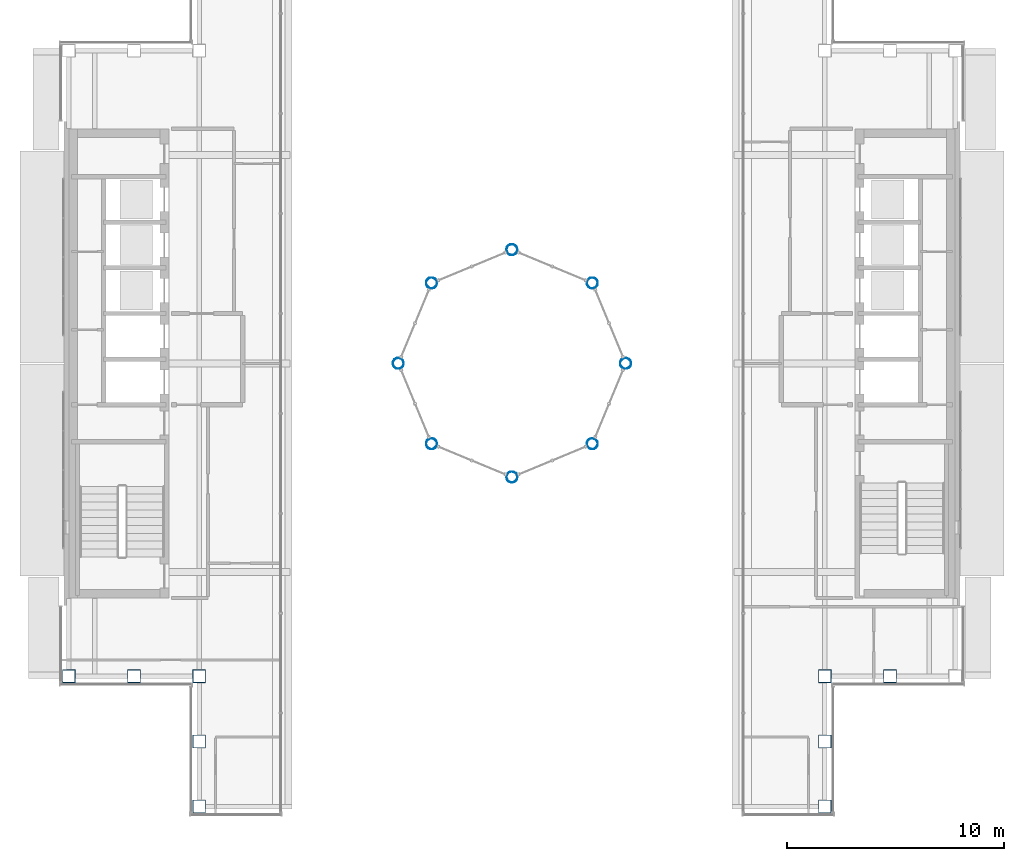
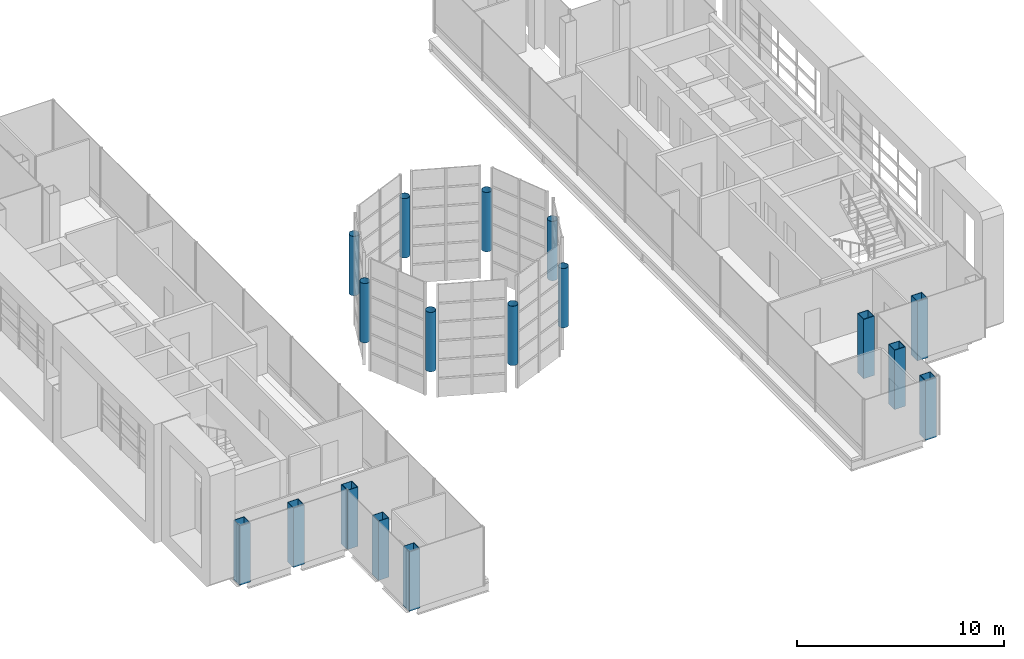
# One storey, part 1 of 21: 17 columns.
"""IFC4 building model written with IfcOpenShell, lengths in metres."""

from ifc_helpers import new_model, si_unit, direction, frame, origin, origin_2d, place, context, subcontext, project, spatial, hollow_rectangle, hollow_circle, extrude, material, material_profile, profile_set, type_object, element, save


model = new_model("IFC4")

# Units and contexts
model_context = context("Model", 3, precision=1e-05, world=origin(), true_north=direction((0.0, 1.0)))
body_context = subcontext(model_context, "Body", "Model", "MODEL_VIEW")
ifc_project = project(units=[si_unit("LENGTHUNIT", "METRE"), si_unit("AREAUNIT", "SQUARE_METRE"), si_unit("VOLUMEUNIT", "CUBIC_METRE"), si_unit("PLANEANGLEUNIT", "RADIAN"), si_unit("MASSUNIT", "GRAM", prefix="KILO")], contexts=[model_context])

# Site, building, storey
site_placement = place(None, origin())
site = spatial("IfcSite", under=ifc_project, at=site_placement, CompositionType="ELEMENT")
building_placement = place(site_placement, origin())
building = spatial("IfcBuilding", under=site, at=building_placement, Name="Cobrizo Arcos Hotel Tower", CompositionType="ELEMENT")
storey_placement = place(building_placement, frame((0.0, 0.0, 283.0)))
storey = spatial("IfcBuildingStorey", under=building, at=storey_placement, Name="L75", CompositionType="ELEMENT", Elevation=283.0)

# Columns
ifc_material_1 = material(Name="Steel ASTM A572 Grade 50", Category="steel")
ifc_material_profile_1 = material_profile(ifc_material_1, hollow_rectangle(XDim=0.60009765625, YDim=0.60009765625, WallThickness=0.030029296875, at=origin_2d()), Name="BOX 600X600X30")
ifc_profile_set_1 = profile_set([ifc_material_profile_1], Name="Steel ASTM A572 Grade 50")
column_type_1 = type_object("IfcColumnType", Name="BOX 600X600X30 column", PredefinedType="COLUMN", material=ifc_profile_set_1)
for number, where, z_axis, x_axis, name in (
    (1, (-14.39990234375, -20.39990234375, -0.14990234375), (0.0, 0.0, 1.0), (1.0, 0.0, 0.0), "Perimeter column C12, L75, no. 01"),
    (2, (14.39990234375, -20.39990234375, -0.14990234375), (0.0, 0.0, 1.0), (1.0, 0.0, 0.0), "Perimeter column C12, L75, no. 03"),
    (3, (-20.39990234375, -14.39990234375, -0.14990234375), (0.0, 0.0, 1.0), (1.0, 0.0, 0.0), "Perimeter column C12, L75, no. 05"),
    (4, (-14.39990234375, -14.39990234375, -0.14990234375), (0.0, 0.0, 1.0), (1.0, 0.0, 0.0), "Perimeter column C12, L75, no. 08"),
    (5, (-14.39990234375, -17.39990234375, -0.14990234375), (0.0, 0.0, 1.0), (1.0, 0.0, 0.0), "Perimeter column C12, L75, no. 09"),
    (6, (-17.39990234375, -14.39990234375, -0.14990234375), (0.0, 0.0, 1.0), (1.0, 0.0, 0.0), "Perimeter column C12, L75, no. 10"),
    (7, (14.39990234375, -14.39990234375, -0.14990234375), (0.0, 0.0, 1.0), (1.0, 0.0, 0.0), "Perimeter column C12, L75, no. 14"),
    (8, (14.39990234375, -17.39990234375, -0.14990234375), (0.0, 0.0, 1.0), (1.0, 0.0, 0.0), "Perimeter column C12, L75, no. 15"),
    (9, (17.39990234375, -14.39990234375, -0.14990234375), (0.0, 0.0, 1.0), (1.0, 0.0, 0.0), "Perimeter column C12, L75, no. 16"),
):
    element("IfcColumn", number, at=place(storey_placement, frame(where, z_axis=z_axis, x_axis=x_axis)), inside=storey, type_object=column_type_1, Name=name, PredefinedType="COLUMN", context=body_context, shape_type="SweptSolid", body=[
        extrude(hollow_rectangle(XDim=0.60009765625, YDim=0.60009765625, WallThickness=0.030029296875, at=origin_2d()), origin(), (0.0, 0.0, 1.0), 3.5),
    ])
ifc_material_2 = material(Name="Steel ASTM A500 Grade C", Category="steel")
ifc_material_profile_2 = material_profile(ifc_material_2, hollow_circle(Radius=0.25390625, WallThickness=0.01171875, at=origin_2d()), Name="HSS20.000X0.500")
ifc_profile_set_2 = profile_set([ifc_material_profile_2], Name="Steel ASTM A500 Grade C")
column_type_2 = type_object("IfcColumnType", Name="HSS20.000X0.500 drum column", PredefinedType="COLUMN", material=ifc_profile_set_2)
for number, where, z_axis, x_axis, name in (
    (10, (5.232666015625, 0.0, 0.0), (0.0, 0.0, 1.0), (1.0, 0.0, 0.0), "Drum column DC1, tier 2, line 0, no. 1"),
    (11, (3.699951171875, 3.699951171875, 0.0), (0.0, 0.0, 1.0), (1.0, 0.0, 0.0), "Drum column DC2, tier 2, line 1, no. 1"),
    (12, (0.0, 5.232666015625, 0.0), (0.0, 0.0, 1.0), (1.0, 0.0, 0.0), "Drum column DC3, tier 2, line 2, no. 1"),
    (13, (-3.699951171875, 3.699951171875, 0.0), (0.0, 0.0, 1.0), (1.0, 0.0, 0.0), "Drum column DC4, tier 2, line 3, no. 1"),
    (14, (-5.232666015625, 0.0, 0.0), (0.0, 0.0, 1.0), (1.0, 0.0, 0.0), "Drum column DC5, tier 2, line 4, no. 1"),
    (15, (-3.699951171875, -3.699951171875, 0.0), (0.0, 0.0, 1.0), (1.0, 0.0, 0.0), "Drum column DC6, tier 2, line 5, no. 1"),
    (16, (0.0, -5.232666015625, 0.0), (0.0, 0.0, 1.0), (1.0, 0.0, 0.0), "Drum column DC7, tier 2, line 6, no. 1"),
    (17, (3.699951171875, -3.699951171875, 0.0), (0.0, 0.0, 1.0), (1.0, 0.0, 0.0), "Drum column DC8, tier 2, line 7, no. 1"),
):
    element("IfcColumn", number, at=place(storey_placement, frame(where, z_axis=z_axis, x_axis=x_axis)), inside=storey, type_object=column_type_2, Name=name, PredefinedType="COLUMN", context=body_context, shape_type="SweptSolid", body=[
        extrude(hollow_circle(Radius=0.25390625, WallThickness=0.01171875, at=origin_2d()), origin(), (0.0, 0.0, 1.0), 3.5),
    ])

save(model, "model.ifc")
